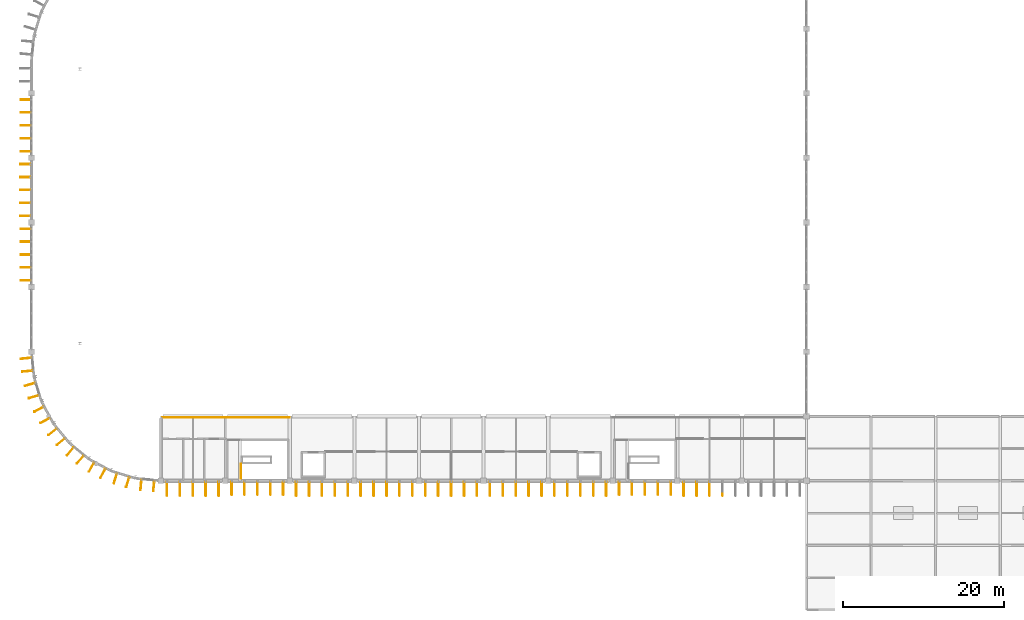
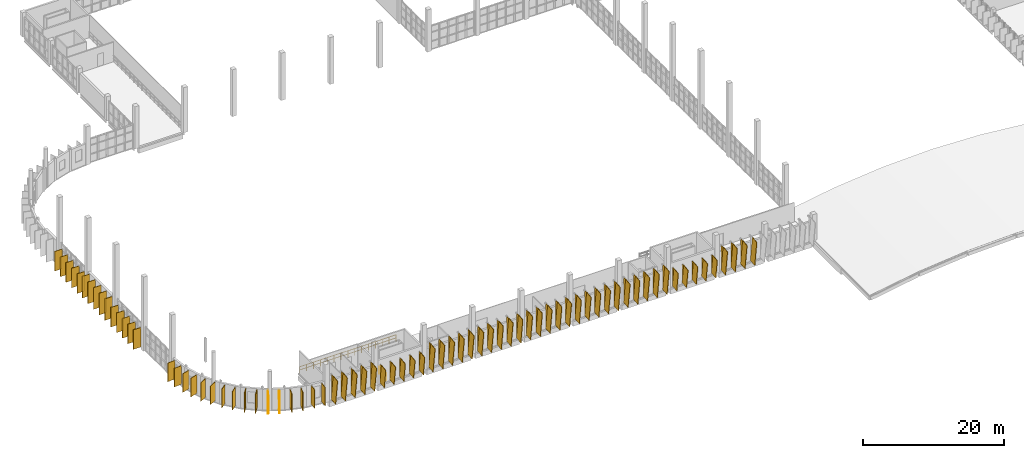
# One storey, part 61 of 66: 75 coverings, 74 shading devices, 2 railings.
"""IFC4 building model written with IfcOpenShell, lengths in metres."""

import ifcopenshell
import ifcopenshell.guid

model = None  # the IFC model being written
_history = None  # IfcOwnerHistory: only IFC2X3 demands one
_inside = {}  # id of a spatial element -> (the spatial element, [elements in it])
_under = {}  # id of a project, library or spatial element -> (it, [spatial elements below it])
_declared = {}  # id of a project -> (the project, [libraries it declares])
_typed = {}  # id of a type object -> (the type object, [elements of that type])
_made_of = {}  # id of a material, layer set ... -> (it, [elements and type objects made of it])


def new_model(schema):
    """Start an empty IFC model of exactly this schema.

    Asked for "IFC4X3", IfcOpenShell would pick the latest addendum, in which some entities
    have other attributes; the version numbers below select the first issue.
    IFC2X3 requires an IfcOwnerHistory on every rooted entity: one is made here for all.
    """
    global model, _history
    if schema == "IFC4X3":
        model = ifcopenshell.file(schema_version=(4, 3, 0, 0))
    else:
        model = ifcopenshell.file(schema=schema)
    _inside.clear()
    _under.clear()
    _declared.clear()
    _typed.clear()
    _made_of.clear()
    _history = None
    if model.schema == "IFC2X3":
        org = make("IfcOrganization", Name="unknown")
        user = make(
            "IfcPersonAndOrganization",
            ThePerson=make("IfcPerson", FamilyName="unknown"),
            TheOrganization=org,
        )
        app = make(
            "IfcApplication",
            ApplicationDeveloper=org,
            Version="unknown",
            ApplicationFullName="unknown",
            ApplicationIdentifier="unknown",
        )
        _history = make(
            "IfcOwnerHistory",
            OwningUser=user,
            OwningApplication=app,
            ChangeAction="ADDED",
            CreationDate=0,
        )
    return model


def make(cls, **values):
    """One entity of the class cls with the attributes given. An attribute that is None is left unset."""
    return model.create_entity(
        cls, **{name: value for name, value in values.items() if value is not None}
    )


def rooted(cls, **values):
    """An entity with a GlobalId (a new one), such as an element, a storey or a relation."""
    return make(cls, GlobalId=ifcopenshell.guid.new(), OwnerHistory=_history, **values)


def si_unit(unit_type, name, prefix=None):
    """IfcSIUnit, for example si_unit("LENGTHUNIT", "METRE", prefix="MILLI")."""
    return make("IfcSIUnit", UnitType=unit_type, Prefix=prefix, Name=name)


def assignment(units):
    """IfcUnitAssignment: the units of a project."""
    return None if units is None else make("IfcUnitAssignment", Units=units)


def point(xyz):
    """IfcCartesianPoint."""
    return None if xyz is None else make("IfcCartesianPoint", Coordinates=xyz)


def direction(xyz):
    """IfcDirection."""
    return None if xyz is None else make("IfcDirection", DirectionRatios=xyz)


def frame(location, z_axis=None, x_axis=None):
    """IfcAxis2Placement3D, a coordinate frame: its origin and axes. An axis left out is left unset."""
    return make(
        "IfcAxis2Placement3D",
        Location=point(location),
        Axis=direction(z_axis),
        RefDirection=direction(x_axis),
    )


def frame_2d(location, x_axis=None):
    """IfcAxis2Placement2D, a coordinate frame in the plane: its origin and x axis."""
    return make(
        "IfcAxis2Placement2D", Location=point(location), RefDirection=direction(x_axis)
    )


def origin():
    """The frame at (0, 0, 0) with its axes left unset."""
    return frame((0.0, 0.0, 0.0))


def origin_2d():
    """The frame at (0, 0) in the plane with its x axis left unset."""
    return frame_2d((0.0, 0.0))


def place(relative_to, where):
    """IfcLocalPlacement: puts the frame where relative to a parent placement (None: the world)."""
    return make(
        "IfcLocalPlacement", PlacementRelTo=relative_to, RelativePlacement=where
    )


def context(
    kind, dimensions, precision=None, world=None, true_north=None, identifier=None
):
    """IfcGeometricRepresentationContext, for example the 3D "Model" context."""
    return make(
        "IfcGeometricRepresentationContext",
        ContextIdentifier=identifier,
        ContextType=kind,
        CoordinateSpaceDimension=dimensions,
        Precision=precision,
        WorldCoordinateSystem=world,
        TrueNorth=true_north,
    )


def subcontext(parent, identifier, kind, view, scale=None):
    """IfcGeometricRepresentationSubContext, for example "Body" below "Model"."""
    return make(
        "IfcGeometricRepresentationSubContext",
        ContextIdentifier=identifier,
        ContextType=kind,
        ParentContext=parent,
        TargetScale=scale,
        TargetView=view,
    )


def project(units=None, contexts=None):
    """IfcProject with its units and contexts."""
    return rooted(
        "IfcProject",
        Name="project",
        RepresentationContexts=contexts,
        UnitsInContext=assignment(units),
    )


def spatial(cls, under=None, at=None, **own):
    """A site, building, storey or space (cls), placed at a placement, below another one or the project."""
    s = rooted(cls, ObjectPlacement=at, **own)
    if under is not None:
        _under.setdefault(under.id(), (under, []))[1].append(s)
    return s


def profile(cls, at=None, kind="AREA", **sizes):
    """A parametric profile (cls). Its sizes go by their IFC names, for example OverallWidth=200.0."""
    return make(cls, ProfileType=kind, Position=at, **sizes)


def rectangle(**sizes):
    """IfcRectangleProfileDef."""
    return profile("IfcRectangleProfileDef", **sizes)


def circle(**sizes):
    """IfcCircleProfileDef."""
    return profile("IfcCircleProfileDef", **sizes)


def extrude(swept, where, along, depth):
    """IfcExtrudedAreaSolid: the profile swept, set in the frame where, extruded along a direction by depth."""
    return make(
        "IfcExtrudedAreaSolid",
        SweptArea=swept,
        Position=where,
        ExtrudedDirection=direction(along),
        Depth=depth,
    )


def shape(context_of_items, identifier, shape_type, items):
    """IfcShapeRepresentation: the items that make up one representation, for example the "Body"."""
    return make(
        "IfcShapeRepresentation",
        ContextOfItems=context_of_items,
        RepresentationIdentifier=identifier,
        RepresentationType=shape_type,
        Items=items,
    )


def material(Name=None, Category=None):
    """IfcMaterial."""
    return make("IfcMaterial", Name=Name, Category=Category)


def made_of(thing, what):
    """Note that an element or type object is made of a material, layer set ...; save() writes the relation."""
    if what is not None:
        _made_of.setdefault(what.id(), (what, []))[1].append(thing)
    return thing


def type_object(cls, material=None, **own):
    """A type object (cls), such as IfcWallType, which elements share."""
    return made_of(rooted(cls, **own), material)


def element(
    cls,
    number,
    at=None,
    inside=None,
    cuts=None,
    type_object=None,
    material=None,
    context=None,
    identifier="Body",
    shape_type=None,
    held_by="IfcProductDefinitionShape",
    body=None,
    shapes=None,
    **own,
):
    """One element of the class cls, such as IfcWall. Its Tag is "e" and its number.

    at: its placement. inside: the storey or other place that contains it. cuts: it is an
    opening in that element (IfcRelVoidsElement). A single representation is given by context,
    identifier, shape_type and body (its items); several are given by shapes. held_by: the class
    of the entity that holds the representations. save() writes the other relations.
    """
    e = rooted(cls, Tag="e%d" % number, ObjectPlacement=at, **own)
    if body is not None:
        shapes = [shape(context, identifier, shape_type, body)]
    if shapes is not None:
        e.Representation = make(held_by, Representations=shapes)
    if inside is not None:
        _inside.setdefault(inside.id(), (inside, []))[1].append(e)
    if cuts is not None:
        rooted(
            "IfcRelVoidsElement", RelatingBuildingElement=cuts, RelatedOpeningElement=e
        )
    if type_object is not None:
        _typed.setdefault(type_object.id(), (type_object, []))[1].append(e)
    return made_of(e, material)


def aggregate(whole, parts):
    """IfcRelAggregates: a whole, such as a stair, and the parts it consists of."""
    return rooted("IfcRelAggregates", RelatingObject=whole, RelatedObjects=parts)


def save(model, path):
    """Write the relations noted so far, then the file.

    IfcRelAggregates (storeys below a building ...), IfcRelContainedInSpatialStructure (elements
    in a storey), IfcRelDefinesByType, IfcRelAssociatesMaterial and IfcRelDeclares: one each for
    every whole, place, type object, material and project.
    """
    for whole, parts in _under.values():
        aggregate(whole, parts)
    for where, things in _inside.values():
        rooted(
            "IfcRelContainedInSpatialStructure",
            RelatedElements=things,
            RelatingStructure=where,
        )
    for kind, things in _typed.values():
        rooted("IfcRelDefinesByType", RelatedObjects=things, RelatingType=kind)
    for what, things in _made_of.values():
        rooted("IfcRelAssociatesMaterial", RelatedObjects=things, RelatingMaterial=what)
    for by, libraries in _declared.values():
        rooted("IfcRelDeclares", RelatingContext=by, RelatedDefinitions=libraries)
    model.write(path)


model = new_model("IFC4")

# Units and contexts
model_context = context("Model", 3, precision=1e-05, world=origin(), true_north=direction((0.0, 1.0)))
body_context = subcontext(model_context, "Body", "Model", "MODEL_VIEW")
ifc_project = project(units=[si_unit("LENGTHUNIT", "METRE"), si_unit("AREAUNIT", "SQUARE_METRE"), si_unit("VOLUMEUNIT", "CUBIC_METRE"), si_unit("PLANEANGLEUNIT", "RADIAN"), si_unit("MASSUNIT", "GRAM", prefix="KILO")], contexts=[model_context])

# Site, building, storey
site_placement = place(None, origin())
site = spatial("IfcSite", under=ifc_project, at=site_placement, CompositionType="ELEMENT")
building_placement = place(site_placement, origin())
building = spatial("IfcBuilding", under=site, at=building_placement, Name="Drelvana Railside Aquatics Centre", CompositionType="ELEMENT")
storey_placement = place(building_placement, frame((0.0, 0.0, 10.199951171875)))
storey = spatial("IfcBuildingStorey", under=building, at=storey_placement, Name="L02", CompositionType="ELEMENT", Elevation=10.199951171875)

# Coverings
ifc_material_1 = material(Name="Bronze-anodised extruded aluminium 6063-T6", Category="aluminium")
covering_type = type_object("IfcCoveringType", Name="COV-FIN-ALU", PredefinedType="CLADDING", material=ifc_material_1)
for number, where, z_axis, x_axis, name in (
    (1, (16.800048828125, 15.264892578125, 0.038818359375), (0.0, -0.13052619222, 0.991444861374), (-1.0, 0.0, 0.0), "Vertical aluminium fin cladding CF-0008"),
    (2, (18.39990234375, 15.264892578125, 0.038818359375), (0.0, -0.13052619222, 0.991444861374), (-1.0, 0.0, 0.0), "Vertical aluminium fin cladding CF-0009"),
    (3, (20.0, 15.264892578125, 0.038818359375), (0.0, -0.13052619222, 0.991444861374), (-1.0, 0.0, 0.0), "Vertical aluminium fin cladding CF-0010"),
    (4, (21.60009765625, 15.264892578125, 0.038818359375), (0.0, -0.13052619222, 0.991444861374), (-1.0, 0.0, 0.0), "Vertical aluminium fin cladding CF-0011"),
    (5, (23.199951171875, 15.264892578125, 0.038818359375), (0.0, -0.13052619222, 0.991444861374), (-1.0, 0.0, 0.0), "Vertical aluminium fin cladding CF-0012"),
):
    element("IfcCovering", number, at=place(storey_placement, frame(where, z_axis=z_axis, x_axis=x_axis)), inside=storey, type_object=covering_type, Name=name, PredefinedType="CLADDING", context=body_context, shape_type="SweptSolid", body=[
        extrude(rectangle(XDim=0.0849609375, YDim=1.25, at=origin_2d()), origin(), (0.0, 0.0, 1.0), 4.39990234375),
    ])
for number, where, z_axis, x_axis, name in (
    (6, (24.800048828125, 15.27001953125, 0.1142578125), (0.0, -0.13052619222, 0.991444861374), (-1.0, 0.0, 0.0), "Vertical aluminium fin cladding CF-0023"),
    (7, (26.39990234375, 15.27001953125, 0.1142578125), (0.0, -0.13052619222, 0.991444861374), (-1.0, 0.0, 0.0), "Vertical aluminium fin cladding CF-0024"),
    (8, (28.0, 15.27001953125, 0.1142578125), (0.0, -0.13052619222, 0.991444861374), (-1.0, 0.0, 0.0), "Vertical aluminium fin cladding CF-0025"),
    (9, (29.60009765625, 15.27001953125, 0.1142578125), (0.0, -0.13052619222, 0.991444861374), (-1.0, 0.0, 0.0), "Vertical aluminium fin cladding CF-0026"),
    (10, (31.199951171875, 15.27001953125, 0.1142578125), (0.0, -0.13052619222, 0.991444861374), (-1.0, 0.0, 0.0), "Vertical aluminium fin cladding CF-0027"),
):
    element("IfcCovering", number, at=place(storey_placement, frame(where, z_axis=z_axis, x_axis=x_axis)), inside=storey, type_object=covering_type, Name=name, PredefinedType="CLADDING", context=body_context, shape_type="SweptSolid", body=[
        extrude(rectangle(XDim=0.0849609375, YDim=1.25, at=origin_2d()), origin(), (0.0, 0.0, 1.0), 3.2900390625),
    ])
for number, where, z_axis, x_axis, name in (
    (11, (32.800048828125, 15.264892578125, 0.038818359375), (0.0, -0.13052619222, 0.991444861374), (-1.0, 0.0, 0.0), "Vertical aluminium fin cladding CF-0037"),
    (12, (34.39990234375, 15.264892578125, 0.038818359375), (0.0, -0.13052619222, 0.991444861374), (-1.0, 0.0, 0.0), "Vertical aluminium fin cladding CF-0038"),
    (13, (36.0, 15.264892578125, 0.038818359375), (0.0, -0.13052619222, 0.991444861374), (-1.0, 0.0, 0.0), "Vertical aluminium fin cladding CF-0039"),
    (14, (37.60009765625, 15.264892578125, 0.038818359375), (0.0, -0.13052619222, 0.991444861374), (-1.0, 0.0, 0.0), "Vertical aluminium fin cladding CF-0040"),
    (15, (39.199951171875, 15.264892578125, 0.038818359375), (0.0, -0.13052619222, 0.991444861374), (-1.0, 0.0, 0.0), "Vertical aluminium fin cladding CF-0041"),
    (16, (40.800048828125, 15.264892578125, 0.038818359375), (0.0, -0.13052619222, 0.991444861374), (-1.0, 0.0, 0.0), "Vertical aluminium fin cladding CF-0051"),
    (17, (42.39990234375, 15.264892578125, 0.038818359375), (0.0, -0.13052619222, 0.991444861374), (-1.0, 0.0, 0.0), "Vertical aluminium fin cladding CF-0052"),
    (18, (44.0, 15.264892578125, 0.038818359375), (0.0, -0.13052619222, 0.991444861374), (-1.0, 0.0, 0.0), "Vertical aluminium fin cladding CF-0053"),
    (19, (45.60009765625, 15.264892578125, 0.038818359375), (0.0, -0.13052619222, 0.991444861374), (-1.0, 0.0, 0.0), "Vertical aluminium fin cladding CF-0054"),
    (20, (47.199951171875, 15.264892578125, 0.038818359375), (0.0, -0.13052619222, 0.991444861374), (-1.0, 0.0, 0.0), "Vertical aluminium fin cladding CF-0055"),
    (21, (48.800048828125, 15.264892578125, 0.038818359375), (0.0, -0.13052619222, 0.991444861374), (-1.0, 0.0, 0.0), "Vertical aluminium fin cladding CF-0067"),
    (22, (50.39990234375, 15.264892578125, 0.038818359375), (0.0, -0.13052619222, 0.991444861374), (-1.0, 0.0, 0.0), "Vertical aluminium fin cladding CF-0068"),
    (23, (52.0, 15.264892578125, 0.038818359375), (0.0, -0.13052619222, 0.991444861374), (-1.0, 0.0, 0.0), "Vertical aluminium fin cladding CF-0069"),
    (24, (53.60009765625, 15.264892578125, 0.038818359375), (0.0, -0.13052619222, 0.991444861374), (-1.0, 0.0, 0.0), "Vertical aluminium fin cladding CF-0070"),
    (25, (55.199951171875, 15.264892578125, 0.038818359375), (0.0, -0.13052619222, 0.991444861374), (-1.0, 0.0, 0.0), "Vertical aluminium fin cladding CF-0071"),
    (26, (56.800048828125, 15.264892578125, 0.038818359375), (0.0, -0.13052619222, 0.991444861374), (-1.0, 0.0, 0.0), "Vertical aluminium fin cladding CF-0079"),
    (27, (58.39990234375, 15.264892578125, 0.038818359375), (0.0, -0.13052619222, 0.991444861374), (-1.0, 0.0, 0.0), "Vertical aluminium fin cladding CF-0080"),
    (28, (60.0, 15.264892578125, 0.038818359375), (0.0, -0.13052619222, 0.991444861374), (-1.0, 0.0, 0.0), "Vertical aluminium fin cladding CF-0081"),
    (29, (61.60009765625, 15.264892578125, 0.038818359375), (0.0, -0.13052619222, 0.991444861374), (-1.0, 0.0, 0.0), "Vertical aluminium fin cladding CF-0082"),
    (30, (63.199951171875, 15.264892578125, 0.038818359375), (0.0, -0.13052619222, 0.991444861374), (-1.0, 0.0, 0.0), "Vertical aluminium fin cladding CF-0083"),
    (31, (64.800048828125, 15.264892578125, 0.038818359375), (0.0, -0.13052619222, 0.991444861374), (-1.0, 0.0, 0.0), "Vertical aluminium fin cladding CF-0095"),
    (32, (66.39990234375, 15.264892578125, 0.038818359375), (0.0, -0.13052619222, 0.991444861374), (-1.0, 0.0, 0.0), "Vertical aluminium fin cladding CF-0096"),
    (33, (68.0, 15.264892578125, 0.038818359375), (0.0, -0.13052619222, 0.991444861374), (-1.0, 0.0, 0.0), "Vertical aluminium fin cladding CF-0097"),
    (34, (69.60009765625, 15.264892578125, 0.038818359375), (0.0, -0.13052619222, 0.991444861374), (-1.0, 0.0, 0.0), "Vertical aluminium fin cladding CF-0098"),
    (35, (71.199951171875, 15.264892578125, 0.038818359375), (0.0, -0.13052619222, 0.991444861374), (-1.0, 0.0, 0.0), "Vertical aluminium fin cladding CF-0099"),
):
    element("IfcCovering", number, at=place(storey_placement, frame(where, z_axis=z_axis, x_axis=x_axis)), inside=storey, type_object=covering_type, Name=name, PredefinedType="CLADDING", context=body_context, shape_type="SweptSolid", body=[
        extrude(rectangle(XDim=0.0849609375, YDim=1.25, at=origin_2d()), origin(), (0.0, 0.0, 1.0), 4.39990234375),
    ])
for number, where, z_axis, x_axis, name in (
    (36, (72.800048828125, 15.27001953125, 0.1142578125), (0.0, -0.13052619222, 0.991444861374), (-1.0, 0.0, 0.0), "Vertical aluminium fin cladding CF-0110"),
    (37, (74.39990234375, 15.27001953125, 0.1142578125), (0.0, -0.13052619222, 0.991444861374), (-1.0, 0.0, 0.0), "Vertical aluminium fin cladding CF-0111"),
    (38, (76.0, 15.27001953125, 0.1142578125), (0.0, -0.13052619222, 0.991444861374), (-1.0, 0.0, 0.0), "Vertical aluminium fin cladding CF-0112"),
    (39, (77.60009765625, 15.27001953125, 0.1142578125), (0.0, -0.13052619222, 0.991444861374), (-1.0, 0.0, 0.0), "Vertical aluminium fin cladding CF-0113"),
    (40, (79.199951171875, 15.27001953125, 0.1142578125), (0.0, -0.13052619222, 0.991444861374), (-1.0, 0.0, 0.0), "Vertical aluminium fin cladding CF-0114"),
):
    element("IfcCovering", number, at=place(storey_placement, frame(where, z_axis=z_axis, x_axis=x_axis)), inside=storey, type_object=covering_type, Name=name, PredefinedType="CLADDING", context=body_context, shape_type="SweptSolid", body=[
        extrude(rectangle(XDim=0.0849609375, YDim=1.25, at=origin_2d()), origin(), (0.0, 0.0, 1.0), 3.2900390625),
    ])
for number, where, z_axis, x_axis, name in (
    (41, (80.800048828125, 15.264892578125, 0.038818359375), (0.0, -0.13052619222, 0.991444861374), (-1.0, 0.0, 0.0), "Vertical aluminium fin cladding CF-0124"),
    (42, (82.39990234375, 15.264892578125, 0.038818359375), (0.0, -0.13052619222, 0.991444861374), (-1.0, 0.0, 0.0), "Vertical aluminium fin cladding CF-0125"),
    (43, (84.0, 15.264892578125, 0.038818359375), (0.0, -0.13052619222, 0.991444861374), (-1.0, 0.0, 0.0), "Vertical aluminium fin cladding CF-0126"),
    (44, (85.60009765625, 15.264892578125, 0.038818359375), (0.0, -0.13052619222, 0.991444861374), (-1.0, 0.0, 0.0), "Vertical aluminium fin cladding CF-0127"),
):
    element("IfcCovering", number, at=place(storey_placement, frame(where, z_axis=z_axis, x_axis=x_axis)), inside=storey, type_object=covering_type, Name=name, PredefinedType="CLADDING", context=body_context, shape_type="SweptSolid", body=[
        extrude(rectangle(XDim=0.0849609375, YDim=1.25, at=origin_2d()), origin(), (0.0, 0.0, 1.0), 4.39990234375),
    ])
for number, where, z_axis, x_axis, name in (
    (45, (-0.68994140625, 40.800048828125, 0.0), (0.0, 0.0, 1.0), (0.0, 1.0, 0.0), "Vertical aluminium fin cladding CF-0215"),
    (46, (-0.68994140625, 42.39990234375, 0.0), (0.0, 0.0, 1.0), (0.0, 1.0, 0.0), "Vertical aluminium fin cladding CF-0216"),
    (47, (-0.68994140625, 44.0, 0.0), (0.0, 0.0, 1.0), (0.0, 1.0, 0.0), "Vertical aluminium fin cladding CF-0217"),
    (48, (-0.68994140625, 45.60009765625, 0.0), (0.0, 0.0, 1.0), (0.0, 1.0, 0.0), "Vertical aluminium fin cladding CF-0218"),
    (49, (-0.68994140625, 47.199951171875, 0.0), (0.0, 0.0, 1.0), (0.0, 1.0, 0.0), "Vertical aluminium fin cladding CF-0219"),
):
    element("IfcCovering", number, at=place(storey_placement, frame(where, z_axis=z_axis, x_axis=x_axis)), inside=storey, type_object=covering_type, Name=name, PredefinedType="CLADDING", context=body_context, shape_type="SweptSolid", body=[
        extrude(rectangle(XDim=0.0849609375, YDim=1.25, at=origin_2d()), origin(), (0.0, 0.0, 1.0), 3.39990234375),
    ])
for number, where, z_axis, x_axis, name in (
    (50, (-0.77490234375, 48.800048828125, 0.199951171875), (0.0, 0.0, 1.0), (0.0, 1.0, 0.0), "Vertical aluminium fin cladding CF-0235"),
    (51, (-0.77490234375, 50.39990234375, 0.199951171875), (0.0, 0.0, 1.0), (0.0, 1.0, 0.0), "Vertical aluminium fin cladding CF-0236"),
    (52, (-0.77490234375, 52.0, 0.199951171875), (0.0, 0.0, 1.0), (0.0, 1.0, 0.0), "Vertical aluminium fin cladding CF-0237"),
    (53, (-0.77490234375, 53.60009765625, 0.199951171875), (0.0, 0.0, 1.0), (0.0, 1.0, 0.0), "Vertical aluminium fin cladding CF-0238"),
    (54, (-0.77490234375, 55.199951171875, 0.199951171875), (0.0, 0.0, 1.0), (0.0, 1.0, 0.0), "Vertical aluminium fin cladding CF-0239"),
):
    element("IfcCovering", number, at=place(storey_placement, frame(where, z_axis=z_axis, x_axis=x_axis)), inside=storey, type_object=covering_type, Name=name, PredefinedType="CLADDING", context=body_context, shape_type="SweptSolid", body=[
        extrude(rectangle(XDim=0.0849609375, YDim=1.25, at=origin_2d()), origin(), (0.0, 0.0, 1.0), 3.75),
    ])
for number, where, z_axis, x_axis, name in (
    (55, (-0.68994140625, 56.800048828125, 0.0), (0.0, 0.0, 1.0), (0.0, 1.0, 0.0), "Vertical aluminium fin cladding CF-0255"),
    (56, (-0.68994140625, 58.39990234375, 0.0), (0.0, 0.0, 1.0), (0.0, 1.0, 0.0), "Vertical aluminium fin cladding CF-0256"),
    (57, (-0.68994140625, 60.0, 0.0), (0.0, 0.0, 1.0), (0.0, 1.0, 0.0), "Vertical aluminium fin cladding CF-0257"),
    (58, (-0.68994140625, 61.60009765625, 0.0), (0.0, 0.0, 1.0), (0.0, 1.0, 0.0), "Vertical aluminium fin cladding CF-0258"),
    (59, (-0.68994140625, 63.199951171875, 0.0), (0.0, 0.0, 1.0), (0.0, 1.0, 0.0), "Vertical aluminium fin cladding CF-0259"),
):
    element("IfcCovering", number, at=place(storey_placement, frame(where, z_axis=z_axis, x_axis=x_axis)), inside=storey, type_object=covering_type, Name=name, PredefinedType="CLADDING", context=body_context, shape_type="SweptSolid", body=[
        extrude(rectangle(XDim=0.0849609375, YDim=1.25, at=origin_2d()), origin(), (0.0, 0.0, 1.0), 3.39990234375),
    ])
for number, where, z_axis, x_axis, name in (
    (60, (-0.666015625, 31.162353515625, 0.25), (0.0, 0.0, 1.0), (-0.09801714033, 0.995184726672, 0.0), "Vertical aluminium fin cladding CF-0277"),
    (61, (-0.50927734375, 29.570068359375, 0.25), (0.0, 0.0, 1.0), (-0.09801714033, 0.995184726672, 0.0), "Vertical aluminium fin cladding CF-0278"),
    (62, (-0.1826171875, 27.927001953125, 0.25), (0.0, 0.0, 1.0), (-0.290284677254, 0.956940335732, 0.0), "Vertical aluminium fin cladding CF-0285"),
    (63, (0.281982421875, 26.39599609375, 0.25), (0.0, 0.0, 1.0), (-0.290284677254, 0.956940335732, 0.0), "Vertical aluminium fin cladding CF-0286"),
    (64, (0.923095703125, 24.848388671875, 0.25), (0.0, 0.0, 1.0), (-0.471396736826, 0.881921264348, 0.0), "Vertical aluminium fin cladding CF-0293"),
    (65, (1.67724609375, 23.437255859375, 0.25), (0.0, 0.0, 1.0), (-0.471396736826, 0.881921264348, 0.0), "Vertical aluminium fin cladding CF-0294"),
    (66, (2.60791015625, 22.04443359375, 0.25), (0.0, 0.0, 1.0), (-0.634393284164, 0.773010453363, 0.0), "Vertical aluminium fin cladding CF-0301"),
    (67, (3.623046875, 20.8076171875, 0.25), (0.0, 0.0, 1.0), (-0.634393284164, 0.773010453363, 0.0), "Vertical aluminium fin cladding CF-0302"),
    (68, (4.8076171875, 19.623046875, 0.25), (0.0, 0.0, 1.0), (-0.773010453363, 0.634393284164, 0.0), "Vertical aluminium fin cladding CF-0309"),
    (69, (6.04443359375, 18.60791015625, 0.25), (0.0, 0.0, 1.0), (-0.773010453363, 0.634393284164, 0.0), "Vertical aluminium fin cladding CF-0310"),
    (70, (7.437255859375, 17.67724609375, 0.25), (0.0, 0.0, 1.0), (-0.881921264348, 0.471396736826, 0.0), "Vertical aluminium fin cladding CF-0317"),
    (71, (8.848388671875, 16.923095703125, 0.25), (0.0, 0.0, 1.0), (-0.881921264348, 0.471396736826, 0.0), "Vertical aluminium fin cladding CF-0318"),
    (72, (10.39599609375, 16.281982421875, 0.25), (0.0, 0.0, 1.0), (-0.956940335732, 0.290284677254, 0.0), "Vertical aluminium fin cladding CF-0325"),
    (73, (11.927001953125, 15.8173828125, 0.25), (0.0, 0.0, 1.0), (-0.956940335732, 0.290284677254, 0.0), "Vertical aluminium fin cladding CF-0326"),
    (74, (13.570068359375, 15.49072265625, 0.25), (0.0, 0.0, 1.0), (-0.995184726672, 0.09801714033, 0.0), "Vertical aluminium fin cladding CF-0333"),
    (75, (15.162353515625, 15.333984375, 0.25), (0.0, 0.0, 1.0), (-0.995184726672, 0.09801714033, 0.0), "Vertical aluminium fin cladding CF-0334"),
):
    element("IfcCovering", number, at=place(storey_placement, frame(where, z_axis=z_axis, x_axis=x_axis)), inside=storey, type_object=covering_type, Name=name, PredefinedType="CLADDING", context=body_context, shape_type="SweptSolid", body=[
        extrude(rectangle(XDim=0.0849609375, YDim=1.25, at=origin_2d()), origin(), (0.0, 0.0, 1.0), 3.22998046875),
    ])

# Railings
ifc_material_2 = material(Name="Laminated glass and bronze-stainless gallery balustrade", Category="glass")
railing_type_1 = type_object("IfcRailingType", Name="RAL-GALLERY-1150", PredefinedType="BALUSTRADE", material=ifc_material_2)
railing_1_placement = place(storey_placement, frame((16.199951171875, 23.85009765625, 0.0)))
element("IfcRailing", 76, at=railing_1_placement, inside=storey, type_object=railing_type_1, Name="Gallery balustrade 7 (L02)", PredefinedType="BALUSTRADE", context=body_context, shape_type="SweptSolid", body=[
    extrude(circle(Radius=0.02392578125, at=origin_2d()), frame((0.0, 0.0, 1.1259765625), z_axis=(1.0, 0.0, 0.0), x_axis=(0.0, 1.0, 0.0)), (0.0, 0.0, 1.0), 15.800048828125),
    extrude(circle(Radius=0.02392578125, at=origin_2d()), frame((0.0, 0.0, 0.574951171875), z_axis=(1.0, 0.0, 0.0), x_axis=(0.0, 1.0, 0.0)), (0.0, 0.0, 1.0), 15.800048828125),
    extrude(circle(Radius=0.02099609375, at=origin_2d()), origin(), (0.0, 0.0, 1.0), 1.101806640625),
    extrude(circle(Radius=0.02099609375, at=origin_2d()), frame((1.128662109375, 0.0, 0.0)), (0.0, 0.0, 1.0), 1.101806640625),
    extrude(circle(Radius=0.02099609375, at=origin_2d()), frame((2.257080078125, 0.0, 0.0)), (0.0, 0.0, 1.0), 1.101806640625),
    extrude(circle(Radius=0.02099609375, at=origin_2d()), frame((3.3857421875, 0.0, 0.0)), (0.0, 0.0, 1.0), 1.101806640625),
    extrude(circle(Radius=0.02099609375, at=origin_2d()), frame((4.514404296875, 0.0, 0.0)), (0.0, 0.0, 1.0), 1.101806640625),
    extrude(circle(Radius=0.02099609375, at=origin_2d()), frame((5.642822265625, 0.0, 0.0)), (0.0, 0.0, 1.0), 1.101806640625),
    extrude(circle(Radius=0.02099609375, at=origin_2d()), frame((6.771484375, 0.0, 0.0)), (0.0, 0.0, 1.0), 1.101806640625),
    extrude(circle(Radius=0.02099609375, at=origin_2d()), frame((7.89990234375, 0.0, 0.0)), (0.0, 0.0, 1.0), 1.101806640625),
    extrude(circle(Radius=0.02099609375, at=origin_2d()), frame((9.028564453125, 0.0, 0.0)), (0.0, 0.0, 1.0), 1.101806640625),
    extrude(circle(Radius=0.02099609375, at=origin_2d()), frame((10.1572265625, 0.0, 0.0)), (0.0, 0.0, 1.0), 1.101806640625),
    extrude(circle(Radius=0.02099609375, at=origin_2d()), frame((11.28564453125, 0.0, 0.0)), (0.0, 0.0, 1.0), 1.101806640625),
    extrude(circle(Radius=0.02099609375, at=origin_2d()), frame((12.414306640625, 0.0, 0.0)), (0.0, 0.0, 1.0), 1.101806640625),
    extrude(circle(Radius=0.02099609375, at=origin_2d()), frame((13.54296875, 0.0, 0.0)), (0.0, 0.0, 1.0), 1.101806640625),
    extrude(circle(Radius=0.02099609375, at=origin_2d()), frame((14.67138671875, 0.0, 0.0)), (0.0, 0.0, 1.0), 1.101806640625),
    extrude(circle(Radius=0.02099609375, at=origin_2d()), frame((15.800048828125, 0.0, 0.0)), (0.0, 0.0, 1.0), 1.101806640625),
])
ifc_material_3 = material(Name="Brushed stainless steel stairwell guard", Category="steel")
railing_type_2 = type_object("IfcRailingType", Name="RAL-STAIR-1150", PredefinedType="GUARDRAIL", material=ifc_material_3)
railing_2_placement = place(storey_placement, frame((25.969970703125, 16.25, 0.0)))
element("IfcRailing", 77, at=railing_2_placement, inside=storey, type_object=railing_type_2, Name="Stair ST-01 top landing guard", PredefinedType="GUARDRAIL", context=body_context, shape_type="SweptSolid", body=[
    extrude(circle(Radius=0.02392578125, at=origin_2d()), frame((0.0, 0.0, 1.1259765625), z_axis=(0.0, 1.0, 0.0), x_axis=(-1.0, 0.0, 0.0)), (0.0, 0.0, 1.0), 1.85009765625),
    extrude(circle(Radius=0.02392578125, at=origin_2d()), frame((0.0, 0.0, 0.574951171875), z_axis=(0.0, 1.0, 0.0), x_axis=(-1.0, 0.0, 0.0)), (0.0, 0.0, 1.0), 1.85009765625),
    extrude(circle(Radius=0.02099609375, at=origin_2d()), origin(), (0.0, 0.0, 1.0), 1.101806640625),
    extrude(circle(Radius=0.02099609375, at=origin_2d()), frame((0.0, 0.925048828125, 0.0)), (0.0, 0.0, 1.0), 1.101806640625),
    extrude(circle(Radius=0.02099609375, at=origin_2d()), frame((0.0, 1.85009765625, 0.0)), (0.0, 0.0, 1.0), 1.101806640625),
])

# Shading devices
shading_device_type = type_object("IfcShadingDeviceType", Name="SHD-FIN-1250", PredefinedType="USERDEFINED", material=ifc_material_1)
for number, where, z_axis, x_axis, name in (
    (78, (16.800048828125, 15.2451171875, 0.02001953125), (0.0, 0.0, 1.0), (0.0, -1.0, 0.0), "Vertical bronze shading fin FN-0008"),
    (79, (18.39990234375, 15.2451171875, 0.02001953125), (0.0, 0.0, 1.0), (0.0, -1.0, 0.0), "Vertical bronze shading fin FN-0009"),
    (80, (20.0, 15.2451171875, 0.02001953125), (0.0, 0.0, 1.0), (0.0, -1.0, 0.0), "Vertical bronze shading fin FN-0010"),
    (81, (21.60009765625, 15.2451171875, 0.02001953125), (0.0, 0.0, 1.0), (0.0, -1.0, 0.0), "Vertical bronze shading fin FN-0011"),
    (82, (23.199951171875, 15.2451171875, 0.02001953125), (0.0, 0.0, 1.0), (0.0, -1.0, 0.0), "Vertical bronze shading fin FN-0012"),
):
    element("IfcShadingDevice", number, at=place(storey_placement, frame(where, z_axis=z_axis, x_axis=x_axis)), inside=storey, type_object=shading_device_type, Name=name, ObjectType="FIN", PredefinedType="USERDEFINED", context=body_context, shape_type="SweptSolid", body=[
        extrude(rectangle(XDim=1.25, YDim=0.06494140625, at=origin_2d()), origin(), (0.0, 0.0, 1.0), 4.39990234375),
    ])
for number, where, z_axis, x_axis, name in (
    (83, (24.800048828125, 15.25, 0.10009765625), (0.0, 0.0, 1.0), (0.0, -1.0, 0.0), "Vertical bronze shading fin FN-0023"),
    (84, (26.39990234375, 15.25, 0.10009765625), (0.0, 0.0, 1.0), (0.0, -1.0, 0.0), "Vertical bronze shading fin FN-0024"),
    (85, (28.0, 15.25, 0.10009765625), (0.0, 0.0, 1.0), (0.0, -1.0, 0.0), "Vertical bronze shading fin FN-0025"),
    (86, (29.60009765625, 15.25, 0.10009765625), (0.0, 0.0, 1.0), (0.0, -1.0, 0.0), "Vertical bronze shading fin FN-0026"),
    (87, (31.199951171875, 15.25, 0.10009765625), (0.0, 0.0, 1.0), (0.0, -1.0, 0.0), "Vertical bronze shading fin FN-0027"),
):
    element("IfcShadingDevice", number, at=place(storey_placement, frame(where, z_axis=z_axis, x_axis=x_axis)), inside=storey, type_object=shading_device_type, Name=name, ObjectType="FIN", PredefinedType="USERDEFINED", context=body_context, shape_type="SweptSolid", body=[
        extrude(rectangle(XDim=1.25, YDim=0.06494140625, at=origin_2d()), origin(), (0.0, 0.0, 1.0), 3.2900390625),
    ])
for number, where, z_axis, x_axis, name in (
    (88, (32.800048828125, 15.2451171875, 0.02001953125), (0.0, 0.0, 1.0), (0.0, -1.0, 0.0), "Vertical bronze shading fin FN-0037"),
    (89, (34.39990234375, 15.2451171875, 0.02001953125), (0.0, 0.0, 1.0), (0.0, -1.0, 0.0), "Vertical bronze shading fin FN-0038"),
    (90, (36.0, 15.2451171875, 0.02001953125), (0.0, 0.0, 1.0), (0.0, -1.0, 0.0), "Vertical bronze shading fin FN-0039"),
    (91, (37.60009765625, 15.2451171875, 0.02001953125), (0.0, 0.0, 1.0), (0.0, -1.0, 0.0), "Vertical bronze shading fin FN-0040"),
    (92, (39.199951171875, 15.2451171875, 0.02001953125), (0.0, 0.0, 1.0), (0.0, -1.0, 0.0), "Vertical bronze shading fin FN-0041"),
    (93, (40.800048828125, 15.2451171875, 0.02001953125), (0.0, 0.0, 1.0), (0.0, -1.0, 0.0), "Vertical bronze shading fin FN-0051"),
    (94, (42.39990234375, 15.2451171875, 0.02001953125), (0.0, 0.0, 1.0), (0.0, -1.0, 0.0), "Vertical bronze shading fin FN-0052"),
    (95, (44.0, 15.2451171875, 0.02001953125), (0.0, 0.0, 1.0), (0.0, -1.0, 0.0), "Vertical bronze shading fin FN-0053"),
    (96, (45.60009765625, 15.2451171875, 0.02001953125), (0.0, 0.0, 1.0), (0.0, -1.0, 0.0), "Vertical bronze shading fin FN-0054"),
    (97, (47.199951171875, 15.2451171875, 0.02001953125), (0.0, 0.0, 1.0), (0.0, -1.0, 0.0), "Vertical bronze shading fin FN-0055"),
    (98, (48.800048828125, 15.2451171875, 0.02001953125), (0.0, 0.0, 1.0), (0.0, -1.0, 0.0), "Vertical bronze shading fin FN-0067"),
    (99, (50.39990234375, 15.2451171875, 0.02001953125), (0.0, 0.0, 1.0), (0.0, -1.0, 0.0), "Vertical bronze shading fin FN-0068"),
    (100, (52.0, 15.2451171875, 0.02001953125), (0.0, 0.0, 1.0), (0.0, -1.0, 0.0), "Vertical bronze shading fin FN-0069"),
    (101, (53.60009765625, 15.2451171875, 0.02001953125), (0.0, 0.0, 1.0), (0.0, -1.0, 0.0), "Vertical bronze shading fin FN-0070"),
    (102, (55.199951171875, 15.2451171875, 0.02001953125), (0.0, 0.0, 1.0), (0.0, -1.0, 0.0), "Vertical bronze shading fin FN-0071"),
    (103, (56.800048828125, 15.2451171875, 0.02001953125), (0.0, 0.0, 1.0), (0.0, -1.0, 0.0), "Vertical bronze shading fin FN-0079"),
    (104, (58.39990234375, 15.2451171875, 0.02001953125), (0.0, 0.0, 1.0), (0.0, -1.0, 0.0), "Vertical bronze shading fin FN-0080"),
    (105, (60.0, 15.2451171875, 0.02001953125), (0.0, 0.0, 1.0), (0.0, -1.0, 0.0), "Vertical bronze shading fin FN-0081"),
    (106, (61.60009765625, 15.2451171875, 0.02001953125), (0.0, 0.0, 1.0), (0.0, -1.0, 0.0), "Vertical bronze shading fin FN-0082"),
    (107, (63.199951171875, 15.2451171875, 0.02001953125), (0.0, 0.0, 1.0), (0.0, -1.0, 0.0), "Vertical bronze shading fin FN-0083"),
    (108, (64.800048828125, 15.2451171875, 0.02001953125), (0.0, 0.0, 1.0), (0.0, -1.0, 0.0), "Vertical bronze shading fin FN-0095"),
    (109, (66.39990234375, 15.2451171875, 0.02001953125), (0.0, 0.0, 1.0), (0.0, -1.0, 0.0), "Vertical bronze shading fin FN-0096"),
    (110, (68.0, 15.2451171875, 0.02001953125), (0.0, 0.0, 1.0), (0.0, -1.0, 0.0), "Vertical bronze shading fin FN-0097"),
    (111, (69.60009765625, 15.2451171875, 0.02001953125), (0.0, 0.0, 1.0), (0.0, -1.0, 0.0), "Vertical bronze shading fin FN-0098"),
    (112, (71.199951171875, 15.2451171875, 0.02001953125), (0.0, 0.0, 1.0), (0.0, -1.0, 0.0), "Vertical bronze shading fin FN-0099"),
):
    element("IfcShadingDevice", number, at=place(storey_placement, frame(where, z_axis=z_axis, x_axis=x_axis)), inside=storey, type_object=shading_device_type, Name=name, ObjectType="FIN", PredefinedType="USERDEFINED", context=body_context, shape_type="SweptSolid", body=[
        extrude(rectangle(XDim=1.25, YDim=0.06494140625, at=origin_2d()), origin(), (0.0, 0.0, 1.0), 4.39990234375),
    ])
for number, where, z_axis, x_axis, name in (
    (113, (72.800048828125, 15.25, 0.10009765625), (0.0, 0.0, 1.0), (0.0, -1.0, 0.0), "Vertical bronze shading fin FN-0110"),
    (114, (74.39990234375, 15.25, 0.10009765625), (0.0, 0.0, 1.0), (0.0, -1.0, 0.0), "Vertical bronze shading fin FN-0111"),
    (115, (76.0, 15.25, 0.10009765625), (0.0, 0.0, 1.0), (0.0, -1.0, 0.0), "Vertical bronze shading fin FN-0112"),
    (116, (77.60009765625, 15.25, 0.10009765625), (0.0, 0.0, 1.0), (0.0, -1.0, 0.0), "Vertical bronze shading fin FN-0113"),
    (117, (79.199951171875, 15.25, 0.10009765625), (0.0, 0.0, 1.0), (0.0, -1.0, 0.0), "Vertical bronze shading fin FN-0114"),
):
    element("IfcShadingDevice", number, at=place(storey_placement, frame(where, z_axis=z_axis, x_axis=x_axis)), inside=storey, type_object=shading_device_type, Name=name, ObjectType="FIN", PredefinedType="USERDEFINED", context=body_context, shape_type="SweptSolid", body=[
        extrude(rectangle(XDim=1.25, YDim=0.06494140625, at=origin_2d()), origin(), (0.0, 0.0, 1.0), 3.2900390625),
    ])
for number, where, z_axis, x_axis, name in (
    (118, (80.800048828125, 15.2451171875, 0.02001953125), (0.0, 0.0, 1.0), (0.0, -1.0, 0.0), "Vertical bronze shading fin FN-0124"),
    (119, (82.39990234375, 15.2451171875, 0.02001953125), (0.0, 0.0, 1.0), (0.0, -1.0, 0.0), "Vertical bronze shading fin FN-0125"),
    (120, (84.0, 15.2451171875, 0.02001953125), (0.0, 0.0, 1.0), (0.0, -1.0, 0.0), "Vertical bronze shading fin FN-0126"),
):
    element("IfcShadingDevice", number, at=place(storey_placement, frame(where, z_axis=z_axis, x_axis=x_axis)), inside=storey, type_object=shading_device_type, Name=name, ObjectType="FIN", PredefinedType="USERDEFINED", context=body_context, shape_type="SweptSolid", body=[
        extrude(rectangle(XDim=1.25, YDim=0.06494140625, at=origin_2d()), origin(), (0.0, 0.0, 1.0), 4.39990234375),
    ])
for number, where, z_axis, x_axis, name in (
    (121, (-0.7099609375, 40.800048828125, 0.0), (0.0, 0.0, 1.0), (-1.0, 0.0, 0.0), "Vertical bronze shading fin FN-0222"),
    (122, (-0.7099609375, 42.39990234375, 0.0), (0.0, 0.0, 1.0), (-1.0, 0.0, 0.0), "Vertical bronze shading fin FN-0223"),
    (123, (-0.7099609375, 44.0, 0.0), (0.0, 0.0, 1.0), (-1.0, 0.0, 0.0), "Vertical bronze shading fin FN-0224"),
    (124, (-0.7099609375, 45.60009765625, 0.0), (0.0, 0.0, 1.0), (-1.0, 0.0, 0.0), "Vertical bronze shading fin FN-0225"),
    (125, (-0.7099609375, 47.199951171875, 0.0), (0.0, 0.0, 1.0), (-1.0, 0.0, 0.0), "Vertical bronze shading fin FN-0226"),
):
    element("IfcShadingDevice", number, at=place(storey_placement, frame(where, z_axis=z_axis, x_axis=x_axis)), inside=storey, type_object=shading_device_type, Name=name, ObjectType="FIN", PredefinedType="USERDEFINED", context=body_context, shape_type="SweptSolid", body=[
        extrude(rectangle(XDim=1.25, YDim=0.06494140625, at=origin_2d()), origin(), (0.0, 0.0, 1.0), 3.39990234375),
    ])
for number, where, z_axis, x_axis, name in (
    (126, (-0.794921875, 48.800048828125, 0.199951171875), (0.0, 0.0, 1.0), (-1.0, 0.0, 0.0), "Vertical bronze shading fin FN-0242"),
    (127, (-0.794921875, 50.39990234375, 0.199951171875), (0.0, 0.0, 1.0), (-1.0, 0.0, 0.0), "Vertical bronze shading fin FN-0243"),
    (128, (-0.794921875, 52.0, 0.199951171875), (0.0, 0.0, 1.0), (-1.0, 0.0, 0.0), "Vertical bronze shading fin FN-0244"),
    (129, (-0.794921875, 53.60009765625, 0.199951171875), (0.0, 0.0, 1.0), (-1.0, 0.0, 0.0), "Vertical bronze shading fin FN-0245"),
    (130, (-0.794921875, 55.199951171875, 0.199951171875), (0.0, 0.0, 1.0), (-1.0, 0.0, 0.0), "Vertical bronze shading fin FN-0246"),
):
    element("IfcShadingDevice", number, at=place(storey_placement, frame(where, z_axis=z_axis, x_axis=x_axis)), inside=storey, type_object=shading_device_type, Name=name, ObjectType="FIN", PredefinedType="USERDEFINED", context=body_context, shape_type="SweptSolid", body=[
        extrude(rectangle(XDim=1.25, YDim=0.06494140625, at=origin_2d()), origin(), (0.0, 0.0, 1.0), 3.75),
    ])
for number, where, z_axis, x_axis, name in (
    (131, (-0.7099609375, 56.800048828125, 0.0), (0.0, 0.0, 1.0), (-1.0, 0.0, 0.0), "Vertical bronze shading fin FN-0262"),
    (132, (-0.7099609375, 58.39990234375, 0.0), (0.0, 0.0, 1.0), (-1.0, 0.0, 0.0), "Vertical bronze shading fin FN-0263"),
    (133, (-0.7099609375, 60.0, 0.0), (0.0, 0.0, 1.0), (-1.0, 0.0, 0.0), "Vertical bronze shading fin FN-0264"),
    (134, (-0.7099609375, 61.60009765625, 0.0), (0.0, 0.0, 1.0), (-1.0, 0.0, 0.0), "Vertical bronze shading fin FN-0265"),
    (135, (-0.7099609375, 63.199951171875, 0.0), (0.0, 0.0, 1.0), (-1.0, 0.0, 0.0), "Vertical bronze shading fin FN-0266"),
):
    element("IfcShadingDevice", number, at=place(storey_placement, frame(where, z_axis=z_axis, x_axis=x_axis)), inside=storey, type_object=shading_device_type, Name=name, ObjectType="FIN", PredefinedType="USERDEFINED", context=body_context, shape_type="SweptSolid", body=[
        extrude(rectangle(XDim=1.25, YDim=0.06494140625, at=origin_2d()), origin(), (0.0, 0.0, 1.0), 3.39990234375),
    ])
for number, where, z_axis, x_axis, name in (
    (136, (-0.68603515625, 31.160400390625, 0.25), (0.0, 0.0, 1.0), (-0.995184726672, -0.09801714033, 0.0), "Vertical bronze shading fin FN-0284"),
    (137, (-0.529296875, 29.568115234375, 0.25), (0.0, 0.0, 1.0), (-0.995184726672, -0.09801714033, 0.0), "Vertical bronze shading fin FN-0285"),
    (138, (-0.20166015625, 27.92138671875, 0.25), (0.0, 0.0, 1.0), (-0.956940335732, -0.290284677254, 0.0), "Vertical bronze shading fin FN-0292"),
    (139, (0.2626953125, 26.39013671875, 0.25), (0.0, 0.0, 1.0), (-0.956940335732, -0.290284677254, 0.0), "Vertical bronze shading fin FN-0293"),
    (140, (0.905517578125, 24.8388671875, 0.25), (0.0, 0.0, 1.0), (-0.881921264348, -0.471396736826, 0.0), "Vertical bronze shading fin FN-0300"),
    (141, (1.65966796875, 23.427734375, 0.25), (0.0, 0.0, 1.0), (-0.881921264348, -0.471396736826, 0.0), "Vertical bronze shading fin FN-0301"),
    (142, (2.592529296875, 22.03173828125, 0.25), (0.0, 0.0, 1.0), (-0.773010453363, -0.634393284164, 0.0), "Vertical bronze shading fin FN-0308"),
    (143, (3.607666015625, 20.794921875, 0.25), (0.0, 0.0, 1.0), (-0.773010453363, -0.634393284164, 0.0), "Vertical bronze shading fin FN-0309"),
    (144, (4.794921875, 19.607666015625, 0.25), (0.0, 0.0, 1.0), (-0.634393284164, -0.773010453363, 0.0), "Vertical bronze shading fin FN-0316"),
    (145, (6.03173828125, 18.592529296875, 0.25), (0.0, 0.0, 1.0), (-0.634393284164, -0.773010453363, 0.0), "Vertical bronze shading fin FN-0317"),
    (146, (7.427734375, 17.65966796875, 0.25), (0.0, 0.0, 1.0), (-0.471396736826, -0.881921264348, 0.0), "Vertical bronze shading fin FN-0324"),
    (147, (8.8388671875, 16.905517578125, 0.25), (0.0, 0.0, 1.0), (-0.471396736826, -0.881921264348, 0.0), "Vertical bronze shading fin FN-0325"),
    (148, (10.39013671875, 16.2626953125, 0.25), (0.0, 0.0, 1.0), (-0.290284677254, -0.956940335732, 0.0), "Vertical bronze shading fin FN-0332"),
    (149, (11.92138671875, 15.79833984375, 0.25), (0.0, 0.0, 1.0), (-0.290284677254, -0.956940335732, 0.0), "Vertical bronze shading fin FN-0333"),
    (150, (13.568115234375, 15.470703125, 0.25), (0.0, 0.0, 1.0), (-0.09801714033, -0.995184726672, 0.0), "Vertical bronze shading fin FN-0340"),
    (151, (15.160400390625, 15.31396484375, 0.25), (0.0, 0.0, 1.0), (-0.09801714033, -0.995184726672, 0.0), "Vertical bronze shading fin FN-0341"),
):
    element("IfcShadingDevice", number, at=place(storey_placement, frame(where, z_axis=z_axis, x_axis=x_axis)), inside=storey, type_object=shading_device_type, Name=name, ObjectType="FIN", PredefinedType="USERDEFINED", context=body_context, shape_type="SweptSolid", body=[
        extrude(rectangle(XDim=1.25, YDim=0.06494140625, at=origin_2d()), origin(), (0.0, 0.0, 1.0), 3.22998046875),
    ])

save(model, "model.ifc")
